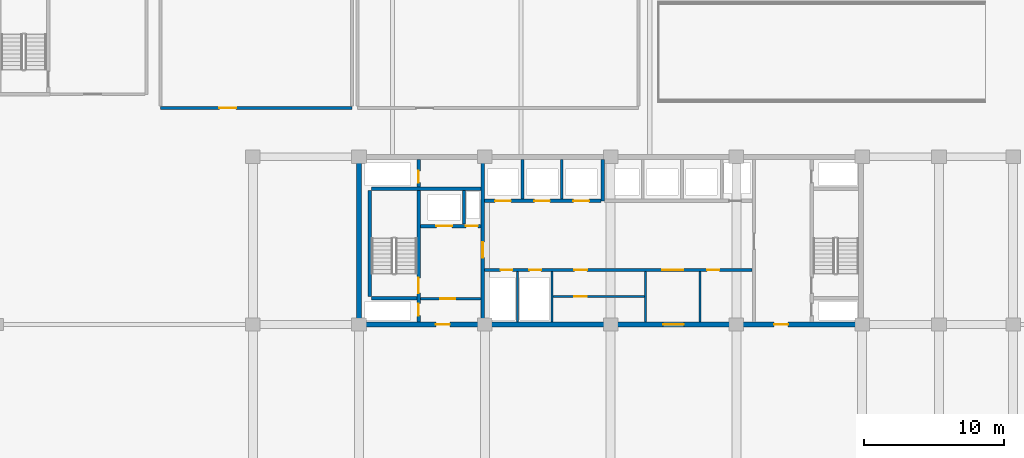
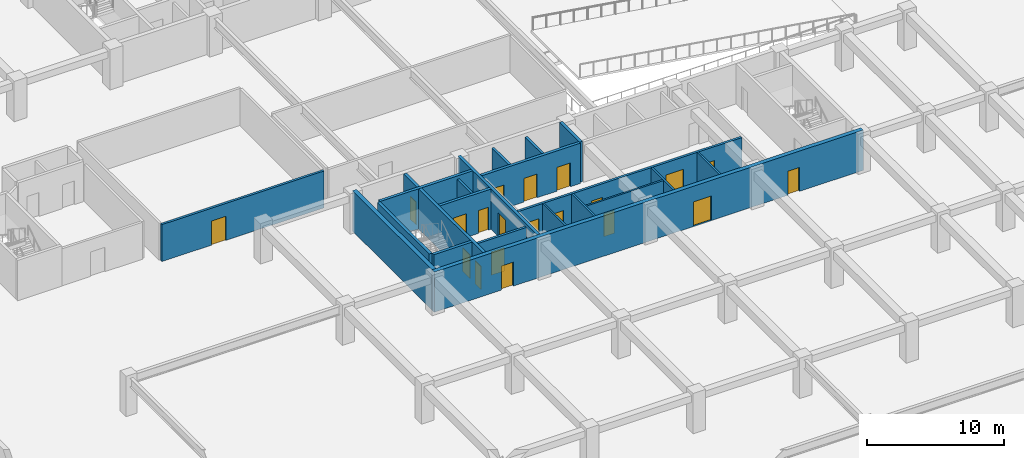
# One storey, part 6 of 22: 21 walls, 20 doors, 20 openings.
"""IFC4 building model written with IfcOpenShell, lengths in metres."""

from ifc_helpers import new_model, si_unit, direction, frame, frame_2d, origin, place, context, subcontext, project, spatial, rectangle, extrude, material, layer, layer_set, type_object, element, fill, save


model = new_model("IFC4")

# Units and contexts
model_context = context("Model", 3, precision=1e-05, world=origin(), true_north=direction((0.0, 1.0)))
body_context = subcontext(model_context, "Body", "Model", "MODEL_VIEW")
ifc_project = project(units=[si_unit("LENGTHUNIT", "METRE"), si_unit("AREAUNIT", "SQUARE_METRE"), si_unit("VOLUMEUNIT", "CUBIC_METRE"), si_unit("PLANEANGLEUNIT", "RADIAN"), si_unit("MASSUNIT", "GRAM", prefix="KILO")], contexts=[model_context])

# Site, building, storey
site_placement = place(None, origin())
site = spatial("IfcSite", under=ifc_project, at=site_placement, CompositionType="ELEMENT")
building_placement = place(site_placement, origin())
building = spatial("IfcBuilding", under=site, at=building_placement, Name="Korimba Cascade Residences", CompositionType="ELEMENT")
storey_placement = place(building_placement, frame((0.0, 0.0, -7.199951171875)))
storey = spatial("IfcBuildingStorey", under=building, at=storey_placement, Name="B02", CompositionType="ELEMENT", Elevation=-7.199951171875)

# Wall
ifc_material_1 = material(Name="Concrete C65/80", Category="concrete")
ifc_layer_1 = layer(ifc_material_1, 0.35009765625)
ifc_layer_set_1 = layer_set([ifc_layer_1], Name="Concrete C65/80")
wall_type_1 = type_object("IfcWallType", Name="WAL-CORE-350", PredefinedType="SHEAR", material=ifc_layer_set_1)
wall_1_placement = place(storey_placement, frame((82.10009765625, 18.574951171875, 0.0), z_axis=(0.0, 0.0, 1.0), x_axis=(0.0, 1.0, 0.0)))
element("IfcWall", 1, at=wall_1_placement, inside=storey, type_object=wall_type_1, Name="B02 Core Shear Wall CW-B02-T2-W", PredefinedType="SHEAR", context=body_context, shape_type="SweptSolid", body=[
    extrude(rectangle(XDim=11.650146484375, YDim=0.35009765625, at=frame_2d((5.8251953125, 0.0))), origin(), (0.0, 0.0, 1.0), 3.599853515625),
])

# Wall, openings, doors
wall_2_placement = place(storey_placement, frame((81.925048828125, 18.39990234375, 0.0), z_axis=(0.0, 0.0, 1.0), x_axis=(1.0, 0.0, 0.0)))
wall_2 = element("IfcWall", 2, at=wall_2_placement, inside=storey, type_object=wall_type_1, Name="B02 Core Shear Wall CW-B02-T2-S", PredefinedType="SHEAR", context=body_context, shape_type="SweptSolid", body=[
    extrude(rectangle(XDim=36.264892578125, YDim=0.35009765625, at=frame_2d((18.13232421875, 0.0))), origin(), (0.0, 0.0, 1.0), 3.599853515625),
])
opening_1_placement = place(wall_2_placement, frame((5.675048828125, 0.0, 0.0)))
opening_1 = element("IfcOpeningElement", 3, at=opening_1_placement, cuts=wall_2, Name="Opening D-FD5", PredefinedType="OPENING", context=body_context, shape_type="SweptSolid", body=[
    extrude(rectangle(XDim=1.0, YDim=2.14990234375, at=frame_2d((0.5, 1.074951171875))), frame((0.0, 0.18505859375, 0.0), z_axis=(0.0, -1.0, 0.0), x_axis=(1.0, 0.0, 0.0)), (0.0, 0.0, 1.0), 0.3701171875),
])
opening_2_placement = place(wall_2_placement, frame((21.925048828125, 0.0, 0.0)))
opening_2 = element("IfcOpeningElement", 4, at=opening_2_placement, cuts=wall_2, Name="Opening D-FD8", PredefinedType="OPENING", context=body_context, shape_type="SweptSolid", body=[
    extrude(rectangle(XDim=1.5, YDim=2.199951171875, at=frame_2d((0.75, 1.10009765625))), frame((0.0, 0.18505859375, 0.0), z_axis=(0.0, -1.0, 0.0), x_axis=(1.0, 0.0, 0.0)), (0.0, 0.0, 1.0), 0.3701171875),
])
opening_3_placement = place(wall_2_placement, frame((29.875, 0.0, 0.0)))
opening_3 = element("IfcOpeningElement", 5, at=opening_3_placement, cuts=wall_2, Name="Opening D-FD5", PredefinedType="OPENING", context=body_context, shape_type="SweptSolid", body=[
    extrude(rectangle(XDim=1.0, YDim=2.14990234375, at=frame_2d((0.5, 1.074951171875))), frame((0.0, 0.18505859375, 0.0), z_axis=(0.0, -1.0, 0.0), x_axis=(1.0, 0.0, 0.0)), (0.0, 0.0, 1.0), 0.3701171875),
])
ifc_material_2 = material(Name="Fire-Rated Acoustic Timber Vestibule Door", Category="wood")
door_type_1 = type_object("IfcDoorType", Name="DR-FD90-1000", OperationType="NOTDEFINED", PredefinedType="DOOR", material=ifc_material_2)
door_1_placement = place(opening_1_placement, origin())
door_1 = element("IfcDoor", 6, at=door_1_placement, inside=storey, type_object=door_type_1, Name="B02 T2 West Core Vestibule Fire Door", OperationType="SINGLE_SWING_RIGHT", OverallHeight=2.14990234375, OverallWidth=1.0, PredefinedType="DOOR", context=body_context, shape_type="SweptSolid", body=[
    extrude(rectangle(XDim=1.0, YDim=2.14990234375, at=frame_2d((0.5, 1.074951171875))), frame((0.0, 0.02490234375, 0.0), z_axis=(0.0, -1.0, 0.0), x_axis=(1.0, 0.0, 0.0)), (0.0, 0.0, 1.0), 0.050048828125),
])
fill(opening_1, door_1)
door_2_placement = place(opening_3_placement, origin())
door_2 = element("IfcDoor", 7, at=door_2_placement, inside=storey, type_object=door_type_1, Name="B02 T2 East Stair Vestibule Fire Door", OperationType="SINGLE_SWING_LEFT", OverallHeight=2.14990234375, OverallWidth=1.0, PredefinedType="DOOR", context=body_context, shape_type="SweptSolid", body=[
    extrude(rectangle(XDim=1.0, YDim=2.14990234375, at=frame_2d((0.5, 1.074951171875))), frame((0.0, 0.02490234375, 0.0), z_axis=(0.0, -1.0, 0.0), x_axis=(1.0, 0.0, 0.0)), (0.0, 0.0, 1.0), 0.050048828125),
])
fill(opening_3, door_2)
ifc_material_3 = material(Name="Fire-Rated Glazed Lift Lobby Double Door", Category="glass")
door_type_2 = type_object("IfcDoorType", Name="DR-FD90-1500", OperationType="NOTDEFINED", PredefinedType="DOOR", material=ifc_material_3)
door_3_placement = place(opening_2_placement, origin())
door_3 = element("IfcDoor", 8, at=door_3_placement, inside=storey, type_object=door_type_2, Name="B02 T2 Lift Lobby Fire Door", OperationType="DOUBLE_DOOR_SINGLE_SWING", OverallHeight=2.199951171875, OverallWidth=1.5, PredefinedType="DOOR", context=body_context, shape_type="SweptSolid", body=[
    extrude(rectangle(XDim=1.5, YDim=2.199951171875, at=frame_2d((0.75, 1.10009765625))), frame((0.0, 0.02490234375, 0.0), z_axis=(0.0, -1.0, 0.0), x_axis=(1.0, 0.0, 0.0)), (0.0, 0.0, 1.0), 0.050048828125),
])
fill(opening_2, door_3)

# Walls
ifc_material_4 = material(Name="Insulated Acoustic Stud Partition", Category="gypsum")
ifc_layer_2 = layer(ifc_material_4, 0.14990234375)
ifc_layer_set_2 = layer_set([ifc_layer_2], Name="Insulated Acoustic Stud Partition")
wall_type_2 = type_object("IfcWallType", Name="WAL-PART-150", PredefinedType="PARTITIONING", material=ifc_layer_set_2)
for number, where, z_axis, x_axis, name in (
    (9, (93.449951171875, 18.60009765625, 0.0), (0.0, 0.0, 1.0), (0.0, 1.0, 0.0), "B02 Partition Wall CW-B02-T2-ERDIV"),
    (10, (95.89990234375, 18.60009765625, 0.0), (0.0, 0.0, 1.0), (0.0, 1.0, 0.0), "B02 Partition Wall CW-B02-T2-PRDIV"),
):
    element("IfcWall", number, at=place(storey_placement, frame(where, z_axis=z_axis, x_axis=x_axis)), inside=storey, type_object=wall_type_2, Name=name, PredefinedType="PARTITIONING", context=body_context, shape_type="SweptSolid", body=[
        extrude(rectangle(XDim=3.599853515625, YDim=0.14990234375, at=frame_2d((1.7998046875, 0.0))), origin(), (0.0, 0.0, 1.0), 3.300048828125),
    ])

# Wall, opening, door
wall_3_placement = place(storey_placement, frame((95.89990234375, 20.39990234375, 0.0), z_axis=(0.0, 0.0, 1.0), x_axis=(1.0, 0.0, 0.0)))
wall_3 = element("IfcWall", 11, at=wall_3_placement, inside=storey, type_object=wall_type_2, Name="B02 Partition Wall CW-B02-T2-CA2HZ", PredefinedType="PARTITIONING", context=body_context, shape_type="SweptSolid", body=[
    extrude(rectangle(XDim=6.7001953125, YDim=0.14990234375, at=frame_2d((3.35009765625, 0.0))), origin(), (0.0, 0.0, 1.0), 3.300048828125),
])
opening_4_placement = place(wall_3_placement, frame((1.60009765625, 0.0, 0.0)))
opening_4 = element("IfcOpeningElement", 12, at=opening_4_placement, cuts=wall_3, Name="Opening D-IN2", PredefinedType="OPENING", context=body_context, shape_type="SweptSolid", body=[
    extrude(rectangle(XDim=0.8798828125, YDim=2.06005859375, at=frame_2d((0.43994140625, 1.030029296875))), frame((0.0, 0.0849609375, 0.0), z_axis=(0.0, -1.0, 0.0), x_axis=(1.0, 0.0, 0.0)), (0.0, 0.0, 1.0), 0.169921875),
])
ifc_material_5 = material(Name="Acoustic Timber Bedroom Door", Category="wood")
door_type_3 = type_object("IfcDoorType", Name="DR-INT-880", OperationType="NOTDEFINED", PredefinedType="DOOR", material=ifc_material_5)
door_4_placement = place(opening_4_placement, origin())
door_4 = element("IfcDoor", 13, at=door_4_placement, inside=storey, type_object=door_type_3, Name="B02 T2 Pram Store Door", OperationType="SINGLE_SWING_LEFT", OverallHeight=2.06005859375, OverallWidth=0.8798828125, PredefinedType="DOOR", context=body_context, shape_type="SweptSolid", body=[
    extrude(rectangle(XDim=0.8798828125, YDim=2.06005859375, at=frame_2d((0.43994140625, 1.030029296875))), frame((0.0, 0.02490234375, 0.0), z_axis=(0.0, -1.0, 0.0), x_axis=(1.0, 0.0, 0.0)), (0.0, 0.0, 1.0), 0.050048828125),
])
fill(opening_4, door_4)

# Walls
for number, where, z_axis, x_axis, name in (
    (14, (102.60009765625, 18.60009765625, 0.0), (0.0, 0.0, 1.0), (0.0, 1.0, 0.0), "B02 Partition Wall CW-B02-T2-THW"),
    (15, (106.5, 18.60009765625, 0.0), (0.0, 0.0, 1.0), (0.0, 1.0, 0.0), "B02 Partition Wall CW-B02-T2-THE"),
):
    element("IfcWall", number, at=place(storey_placement, frame(where, z_axis=z_axis, x_axis=x_axis)), inside=storey, type_object=wall_type_2, Name=name, PredefinedType="PARTITIONING", context=body_context, shape_type="SweptSolid", body=[
        extrude(rectangle(XDim=3.599853515625, YDim=0.14990234375, at=frame_2d((1.7998046875, 0.0))), origin(), (0.0, 0.0, 1.0), 3.300048828125),
    ])
ifc_material_6 = material(Name="Concrete C40/50", Category="concrete")
ifc_layer_3 = layer(ifc_material_6, 0.199951171875)
ifc_layer_set_3 = layer_set([ifc_layer_3], Name="Concrete C40/50")
wall_type_3 = type_object("IfcWallType", Name="WAL-PART-200", PredefinedType="PARTITIONING", material=ifc_layer_set_3)
wall_4_placement = place(storey_placement, frame((89.60009765625, 25.580078125, 0.0), z_axis=(0.0, 0.0, 1.0), x_axis=(0.0, 1.0, 0.0)))
element("IfcWall", 16, at=wall_4_placement, inside=storey, type_object=wall_type_3, Name="B02 Partition Wall CW-B02-T2-FFLDIV", PredefinedType="PARTITIONING", context=body_context, shape_type="SweptSolid", body=[
    extrude(rectangle(XDim=2.419921875, YDim=0.199951171875, at=frame_2d((1.2099609375, 0.0))), origin(), (0.0, 0.0, 1.0), 3.300048828125),
])

# Wall, opening, door
wall_5_placement = place(storey_placement, frame((86.5, 20.25, 0.0), z_axis=(0.0, 0.0, 1.0), x_axis=(1.0, 0.0, 0.0)))
wall_5 = element("IfcWall", 17, at=wall_5_placement, inside=storey, type_object=wall_type_3, Name="B02 Partition Wall CW-B02-T2-FFLS", PredefinedType="PARTITIONING", context=body_context, shape_type="SweptSolid", body=[
    extrude(rectangle(XDim=4.320068359375, YDim=0.199951171875, at=frame_2d((2.16015625, 0.0))), origin(), (0.0, 0.0, 1.0), 3.300048828125),
])
opening_5_placement = place(wall_5_placement, frame((1.39990234375, 0.0, 0.0)))
opening_5 = element("IfcOpeningElement", 18, at=opening_5_placement, cuts=wall_5, Name="Opening D-FD1", PredefinedType="OPENING", context=body_context, shape_type="SweptSolid", body=[
    extrude(rectangle(XDim=1.10009765625, YDim=2.10009765625, at=frame_2d((0.550048828125, 1.050048828125))), frame((0.0, 0.10986328125, 0.0), z_axis=(0.0, -1.0, 0.0), x_axis=(1.0, 0.0, 0.0)), (0.0, 0.0, 1.0), 0.219970703125),
])
ifc_material_7 = material(Name="Fire-Rated Steel Core Door", Category="steel")
door_type_4 = type_object("IfcDoorType", Name="DR-FD120-1100", OperationType="NOTDEFINED", PredefinedType="DOOR", material=ifc_material_7)
door_5_placement = place(opening_5_placement, origin())
door_5 = element("IfcDoor", 19, at=door_5_placement, inside=storey, type_object=door_type_4, Name="B02 T2 Firefighting Lobby Door", OperationType="SINGLE_SWING_RIGHT", OverallHeight=2.10009765625, OverallWidth=1.10009765625, PredefinedType="DOOR", context=body_context, shape_type="SweptSolid", body=[
    extrude(rectangle(XDim=1.10009765625, YDim=2.10009765625, at=frame_2d((0.550048828125, 1.050048828125))), frame((0.0, 0.02490234375, 0.0), z_axis=(0.0, -1.0, 0.0), x_axis=(1.0, 0.0, 0.0)), (0.0, 0.0, 1.0), 0.050048828125),
])
fill(opening_5, door_5)

# Walls
for number, where, z_axis, x_axis, name in (
    (20, (93.800048828125, 27.3798828125, 0.0), (0.0, 0.0, 1.0), (0.0, 1.0, 0.0), "B02 Partition Wall CW-B02-T2-B1D1"),
    (21, (96.60009765625, 27.3798828125, 0.0), (0.0, 0.0, 1.0), (0.0, 1.0, 0.0), "B02 Partition Wall CW-B02-T2-B1D2"),
):
    element("IfcWall", number, at=place(storey_placement, frame(where, z_axis=z_axis, x_axis=x_axis)), inside=storey, type_object=wall_type_3, Name=name, PredefinedType="PARTITIONING", context=body_context, shape_type="SweptSolid", body=[
        extrude(rectangle(XDim=2.820068359375, YDim=0.199951171875, at=frame_2d((1.41015625, 0.0))), origin(), (0.0, 0.0, 1.0), 3.300048828125),
    ])

# Wall, openings, doors
wall_6_placement = place(storey_placement, frame((91.080078125, 22.300048828125, 0.0), z_axis=(0.0, 0.0, 1.0), x_axis=(1.0, 0.0, 0.0)))
wall_6 = element("IfcWall", 22, at=wall_6_placement, inside=storey, type_object=wall_type_3, Name="B02 Partition Wall CW-B02-T2-SRVROW", PredefinedType="PARTITIONING", context=body_context, shape_type="SweptSolid", body=[
    extrude(rectangle(XDim=19.139892578125, YDim=0.199951171875, at=frame_2d((9.56982421875, 0.0))), origin(), (0.0, 0.0, 1.0), 3.300048828125),
])
opening_6_placement = place(wall_6_placement, frame((1.14990234375, 0.0, 0.0)))
opening_6 = element("IfcOpeningElement", 23, at=opening_6_placement, cuts=wall_6, Name="Opening D-RS1", PredefinedType="OPENING", context=body_context, shape_type="SweptSolid", body=[
    extrude(rectangle(XDim=0.85009765625, YDim=2.050048828125, at=frame_2d((0.425048828125, 1.02490234375))), frame((0.0, 0.10986328125, 0.0), z_axis=(0.0, -1.0, 0.0), x_axis=(1.0, 0.0, 0.0)), (0.0, 0.0, 1.0), 0.219970703125),
])
opening_7_placement = place(wall_6_placement, frame((3.199951171875, 0.0, 0.0)))
opening_7 = element("IfcOpeningElement", 24, at=opening_7_placement, cuts=wall_6, Name="Opening D-RS1", PredefinedType="OPENING", context=body_context, shape_type="SweptSolid", body=[
    extrude(rectangle(XDim=0.85009765625, YDim=2.050048828125, at=frame_2d((0.425048828125, 1.02490234375))), frame((0.0, 0.10986328125, 0.0), z_axis=(0.0, -1.0, 0.0), x_axis=(1.0, 0.0, 0.0)), (0.0, 0.0, 1.0), 0.219970703125),
])
opening_8_placement = place(wall_6_placement, frame((12.719970703125, 0.0, 0.0)))
opening_8 = element("IfcOpeningElement", 25, at=opening_8_placement, cuts=wall_6, Name="Opening D-FD8", PredefinedType="OPENING", context=body_context, shape_type="SweptSolid", body=[
    extrude(rectangle(XDim=1.5, YDim=2.199951171875, at=frame_2d((0.75, 1.10009765625))), frame((0.0, 0.10986328125, 0.0), z_axis=(0.0, -1.0, 0.0), x_axis=(1.0, 0.0, 0.0)), (0.0, 0.0, 1.0), 0.219970703125),
])
opening_9_placement = place(wall_6_placement, frame((6.419921875, 0.0, 0.0)))
opening_9 = element("IfcOpeningElement", 26, at=opening_9_placement, cuts=wall_6, Name="Opening D-IN1", PredefinedType="OPENING", context=body_context, shape_type="SweptSolid", body=[
    extrude(rectangle(XDim=0.919921875, YDim=2.080078125, at=frame_2d((0.4599609375, 1.0400390625))), frame((0.0, 0.10986328125, 0.0), z_axis=(0.0, -1.0, 0.0), x_axis=(1.0, 0.0, 0.0)), (0.0, 0.0, 1.0), 0.219970703125),
])
opening_10_placement = place(wall_6_placement, frame((15.919921875, 0.0, 0.0)))
opening_10 = element("IfcOpeningElement", 27, at=opening_10_placement, cuts=wall_6, Name="Opening D-IN2", PredefinedType="OPENING", context=body_context, shape_type="SweptSolid", body=[
    extrude(rectangle(XDim=0.8798828125, YDim=2.06005859375, at=frame_2d((0.43994140625, 1.030029296875))), frame((0.0, 0.10986328125, 0.0), z_axis=(0.0, -1.0, 0.0), x_axis=(1.0, 0.0, 0.0)), (0.0, 0.0, 1.0), 0.219970703125),
])
ifc_material_8 = material(Name="Fire-Rated Steel Riser Access Door", Category="steel")
door_type_5 = type_object("IfcDoorType", Name="DR-FD60-850", OperationType="NOTDEFINED", PredefinedType="DOOR", material=ifc_material_8)
door_6_placement = place(opening_6_placement, origin())
door_6 = element("IfcDoor", 28, at=door_6_placement, inside=storey, type_object=door_type_5, Name="B02 T2 Electrical Riser Door", OperationType="SINGLE_SWING_RIGHT", OverallHeight=2.050048828125, OverallWidth=0.85009765625, PredefinedType="DOOR", context=body_context, shape_type="SweptSolid", body=[
    extrude(rectangle(XDim=0.85009765625, YDim=2.050048828125, at=frame_2d((0.425048828125, 1.02490234375))), frame((0.0, 0.02490234375, 0.0), z_axis=(0.0, -1.0, 0.0), x_axis=(1.0, 0.0, 0.0)), (0.0, 0.0, 1.0), 0.050048828125),
])
fill(opening_6, door_6)
door_7_placement = place(opening_7_placement, origin())
door_7 = element("IfcDoor", 29, at=door_7_placement, inside=storey, type_object=door_type_5, Name="B02 T2 Plumbing Riser Door", OperationType="SINGLE_SWING_LEFT", OverallHeight=2.050048828125, OverallWidth=0.85009765625, PredefinedType="DOOR", context=body_context, shape_type="SweptSolid", body=[
    extrude(rectangle(XDim=0.85009765625, YDim=2.050048828125, at=frame_2d((0.425048828125, 1.02490234375))), frame((0.0, 0.02490234375, 0.0), z_axis=(0.0, -1.0, 0.0), x_axis=(1.0, 0.0, 0.0)), (0.0, 0.0, 1.0), 0.050048828125),
])
fill(opening_7, door_7)
door_8_placement = place(opening_8_placement, origin())
door_8 = element("IfcDoor", 30, at=door_8_placement, inside=storey, type_object=door_type_2, Name="B02 T2 Lift Lobby Foyer Door", OperationType="DOUBLE_DOOR_SINGLE_SWING", OverallHeight=2.199951171875, OverallWidth=1.5, PredefinedType="DOOR", context=body_context, shape_type="SweptSolid", body=[
    extrude(rectangle(XDim=1.5, YDim=2.199951171875, at=frame_2d((0.75, 1.10009765625))), frame((0.0, 0.02490234375, 0.0), z_axis=(0.0, -1.0, 0.0), x_axis=(1.0, 0.0, 0.0)), (0.0, 0.0, 1.0), 0.050048828125),
])
fill(opening_8, door_8)
door_9_placement = place(opening_10_placement, origin())
door_9 = element("IfcDoor", 31, at=door_9_placement, inside=storey, type_object=door_type_3, Name="B02 T2 Staff WC Door", OperationType="SINGLE_SWING_LEFT", OverallHeight=2.06005859375, OverallWidth=0.8798828125, PredefinedType="DOOR", context=body_context, shape_type="SweptSolid", body=[
    extrude(rectangle(XDim=0.8798828125, YDim=2.06005859375, at=frame_2d((0.43994140625, 1.030029296875))), frame((0.0, 0.02490234375, 0.0), z_axis=(0.0, -1.0, 0.0), x_axis=(1.0, 0.0, 0.0)), (0.0, 0.0, 1.0), 0.050048828125),
])
fill(opening_10, door_9)
ifc_material_9 = material(Name="Acoustic Timber Living Door", Category="wood")
door_type_6 = type_object("IfcDoorType", Name="DR-INT-920", OperationType="NOTDEFINED", PredefinedType="DOOR", material=ifc_material_9)
door_10_placement = place(opening_9_placement, origin())
door_10 = element("IfcDoor", 32, at=door_10_placement, inside=storey, type_object=door_type_6, Name="B02 T2 Locker Door", OperationType="SINGLE_SWING_RIGHT", OverallHeight=2.080078125, OverallWidth=0.919921875, PredefinedType="DOOR", context=body_context, shape_type="SweptSolid", body=[
    extrude(rectangle(XDim=0.919921875, YDim=2.080078125, at=frame_2d((0.4599609375, 1.0400390625))), frame((0.0, 0.02490234375, 0.0), z_axis=(0.0, -1.0, 0.0), x_axis=(1.0, 0.0, 0.0)), (0.0, 0.0, 1.0), 0.050048828125),
])
fill(opening_9, door_10)

# Wall, opening, door
wall_7_placement = place(storey_placement, frame((67.89990234375, 33.89990234375, 0.0), z_axis=(0.0, 0.0, 1.0), x_axis=(1.0, 0.0, 0.0)))
wall_7 = element("IfcWall", 33, at=wall_7_placement, inside=storey, type_object=wall_type_3, Name="B02 Partition Wall WAL-B02-PMPS", PredefinedType="PARTITIONING", context=body_context, shape_type="SweptSolid", body=[
    extrude(rectangle(XDim=13.7001953125, YDim=0.199951171875, at=frame_2d((6.85009765625, 0.0))), origin(), (0.0, 0.0, 1.0), 3.300048828125),
])
opening_11_placement = place(wall_7_placement, frame((4.199951171875, 0.0, 0.0)))
opening_11 = element("IfcOpeningElement", 34, at=opening_11_placement, cuts=wall_7, Name="Opening D-FD3", PredefinedType="OPENING", context=body_context, shape_type="SweptSolid", body=[
    extrude(rectangle(XDim=1.199951171875, YDim=2.14990234375, at=frame_2d((0.60009765625, 1.074951171875))), frame((0.0, 0.10986328125, 0.0), z_axis=(0.0, -1.0, 0.0), x_axis=(1.0, 0.0, 0.0)), (0.0, 0.0, 1.0), 0.219970703125),
])
ifc_material_10 = material(Name="Fire-Rated Steel Plant Door", Category="steel")
door_type_7 = type_object("IfcDoorType", Name="DR-FD120-1200", OperationType="NOTDEFINED", PredefinedType="DOOR", material=ifc_material_10)
door_11_placement = place(opening_11_placement, origin())
door_11 = element("IfcDoor", 35, at=door_11_placement, inside=storey, type_object=door_type_7, Name="B02 Pump Room Door", OperationType="SINGLE_SWING_RIGHT", OverallHeight=2.14990234375, OverallWidth=1.199951171875, PredefinedType="DOOR", context=body_context, shape_type="SweptSolid", body=[
    extrude(rectangle(XDim=1.199951171875, YDim=2.14990234375, at=frame_2d((0.60009765625, 1.074951171875))), frame((0.0, 0.02490234375, 0.0), z_axis=(0.0, -1.0, 0.0), x_axis=(1.0, 0.0, 0.0)), (0.0, 0.0, 1.0), 0.050048828125),
])
fill(opening_11, door_11)

# Wall
ifc_material_11 = material(Name="Concrete C50/60", Category="concrete")
ifc_layer_4 = layer(ifc_material_11, 0.25)
ifc_layer_set_4 = layer_set([ifc_layer_4], Name="Concrete C50/60")
wall_type_4 = type_object("IfcWallType", Name="WAL-SHAFT-250", PredefinedType="SHEAR", material=ifc_layer_set_4)
wall_8_placement = place(storey_placement, frame((82.875, 20.39990234375, 0.0), z_axis=(0.0, 0.0, 1.0), x_axis=(0.0, 1.0, 0.0)))
element("IfcWall", 36, at=wall_8_placement, inside=storey, type_object=wall_type_4, Name="B02 Core Shear Wall CW-B02-T2-STE1W", PredefinedType="SHEAR", context=body_context, shape_type="SweptSolid", body=[
    extrude(rectangle(XDim=7.60009765625, YDim=0.25, at=frame_2d((3.800048828125, 0.0))), origin(), (0.0, 0.0, 1.0), 3.599853515625),
])

# Wall, openings, doors
wall_9_placement = place(storey_placement, frame((86.364990234375, 18.60009765625, 0.0), z_axis=(0.0, 0.0, 1.0), x_axis=(0.0, 1.0, 0.0)))
wall_9 = element("IfcWall", 37, at=wall_9_placement, inside=storey, type_object=wall_type_4, Name="B02 Core Shear Wall CW-B02-T2-STE1E", PredefinedType="SHEAR", context=body_context, shape_type="SweptSolid", body=[
    extrude(rectangle(XDim=11.599853515625, YDim=0.25, at=frame_2d((5.7998046875, 0.0))), origin(), (0.0, 0.0, 1.0), 3.599853515625),
])
opening_12_placement = place(wall_9_placement, frame((0.449951171875, 0.0, 0.0)))
opening_12 = element("IfcOpeningElement", 38, at=opening_12_placement, cuts=wall_9, Name="Opening D-RS1", PredefinedType="OPENING", context=body_context, shape_type="SweptSolid", body=[
    extrude(rectangle(XDim=0.85009765625, YDim=2.050048828125, at=frame_2d((0.425048828125, 1.02490234375))), frame((0.0, 0.135009765625, 0.0), z_axis=(0.0, -1.0, 0.0), x_axis=(1.0, 0.0, 0.0)), (0.0, 0.0, 1.0), 0.27001953125),
])
opening_13_placement = place(wall_9_placement, frame((2.050048828125, 0.0, 0.0)))
opening_13 = element("IfcOpeningElement", 39, at=opening_13_placement, cuts=wall_9, Name="Opening D-FD1", PredefinedType="OPENING", context=body_context, shape_type="SweptSolid", body=[
    extrude(rectangle(XDim=1.10009765625, YDim=2.10009765625, at=frame_2d((0.550048828125, 1.050048828125))), frame((0.0, 0.135009765625, 0.0), z_axis=(0.0, -1.0, 0.0), x_axis=(1.0, 0.0, 0.0)), (0.0, 0.0, 1.0), 0.27001953125),
])
opening_14_placement = place(wall_9_placement, frame((9.949951171875, 0.0, 0.0)))
opening_14 = element("IfcOpeningElement", 40, at=opening_14_placement, cuts=wall_9, Name="Opening D-RS1", PredefinedType="OPENING", context=body_context, shape_type="SweptSolid", body=[
    extrude(rectangle(XDim=0.85009765625, YDim=2.050048828125, at=frame_2d((0.425048828125, 1.02490234375))), frame((0.0, 0.135009765625, 0.0), z_axis=(0.0, -1.0, 0.0), x_axis=(1.0, 0.0, 0.0)), (0.0, 0.0, 1.0), 0.27001953125),
])
door_12_placement = place(opening_13_placement, origin())
door_12 = element("IfcDoor", 41, at=door_12_placement, inside=storey, type_object=door_type_4, Name="B02 Fire Stair ST-E1 Door", OperationType="SINGLE_SWING_LEFT", OverallHeight=2.10009765625, OverallWidth=1.10009765625, PredefinedType="DOOR", context=body_context, shape_type="SweptSolid", body=[
    extrude(rectangle(XDim=1.10009765625, YDim=2.10009765625, at=frame_2d((0.550048828125, 1.050048828125))), frame((0.0, 0.02490234375, 0.0), z_axis=(0.0, -1.0, 0.0), x_axis=(1.0, 0.0, 0.0)), (0.0, 0.0, 1.0), 0.050048828125),
])
fill(opening_13, door_12)
door_13_placement = place(opening_12_placement, origin())
door_13 = element("IfcDoor", 42, at=door_13_placement, inside=storey, type_object=door_type_5, Name="B02 T2 Hydrant Riser Door", OperationType="SINGLE_SWING_RIGHT", OverallHeight=2.050048828125, OverallWidth=0.85009765625, PredefinedType="DOOR", context=body_context, shape_type="SweptSolid", body=[
    extrude(rectangle(XDim=0.85009765625, YDim=2.050048828125, at=frame_2d((0.425048828125, 1.02490234375))), frame((0.0, 0.02490234375, 0.0), z_axis=(0.0, -1.0, 0.0), x_axis=(1.0, 0.0, 0.0)), (0.0, 0.0, 1.0), 0.050048828125),
])
fill(opening_12, door_13)
door_14_placement = place(opening_14_placement, origin())
door_14 = element("IfcDoor", 43, at=door_14_placement, inside=storey, type_object=door_type_5, Name="B02 T2 Smoke Shaft Door", OperationType="SINGLE_SWING_RIGHT", OverallHeight=2.050048828125, OverallWidth=0.85009765625, PredefinedType="DOOR", context=body_context, shape_type="SweptSolid", body=[
    extrude(rectangle(XDim=0.85009765625, YDim=2.050048828125, at=frame_2d((0.425048828125, 1.02490234375))), frame((0.0, 0.02490234375, 0.0), z_axis=(0.0, -1.0, 0.0), x_axis=(1.0, 0.0, 0.0)), (0.0, 0.0, 1.0), 0.050048828125),
])
fill(opening_14, door_14)

# Walls
wall_10_placement = place(storey_placement, frame((83.0, 20.27490234375, 0.0), z_axis=(0.0, 0.0, 1.0), x_axis=(1.0, 0.0, 0.0)))
element("IfcWall", 44, at=wall_10_placement, inside=storey, type_object=wall_type_4, Name="B02 Core Shear Wall CW-B02-T2-STE1S", PredefinedType="SHEAR", context=body_context, shape_type="SweptSolid", body=[
    extrude(rectangle(XDim=3.239990234375, YDim=0.25, at=frame_2d((1.6201171875, 0.0))), origin(), (0.0, 0.0, 1.0), 3.599853515625),
])
wall_11_placement = place(storey_placement, frame((83.0, 28.125, 0.0), z_axis=(0.0, 0.0, 1.0), x_axis=(1.0, 0.0, 0.0)))
element("IfcWall", 45, at=wall_11_placement, inside=storey, type_object=wall_type_4, Name="B02 Core Shear Wall CW-B02-T2-STE1N", PredefinedType="SHEAR", context=body_context, shape_type="SweptSolid", body=[
    extrude(rectangle(XDim=7.820068359375, YDim=0.25, at=frame_2d((3.91015625, 0.0))), origin(), (0.0, 0.0, 1.0), 3.599853515625),
])

# Wall, openings, doors
wall_12_placement = place(storey_placement, frame((86.5, 25.449951171875, 0.0), z_axis=(0.0, 0.0, 1.0), x_axis=(1.0, 0.0, 0.0)))
wall_12 = element("IfcWall", 46, at=wall_12_placement, inside=storey, type_object=wall_type_4, Name="B02 Core Shear Wall CW-B02-T2-FFLN", PredefinedType="SHEAR", context=body_context, shape_type="SweptSolid", body=[
    extrude(rectangle(XDim=4.320068359375, YDim=0.25, at=frame_2d((2.16015625, 0.0))), origin(), (0.0, 0.0, 1.0), 3.599853515625),
])
opening_15_placement = place(wall_12_placement, frame((1.139892578125, 0.0, 0.0)))
opening_15 = element("IfcOpeningElement", 47, at=opening_15_placement, cuts=wall_12, Name="Opening LD-01", PredefinedType="OPENING", context=body_context, shape_type="SweptSolid", body=[
    extrude(rectangle(XDim=1.1201171875, YDim=2.1201171875, at=frame_2d((0.56005859375, 1.06005859375))), frame((0.0, 0.135009765625, 0.0), z_axis=(0.0, -1.0, 0.0), x_axis=(1.0, 0.0, 0.0)), (0.0, 0.0, 1.0), 0.27001953125),
])
opening_16_placement = place(wall_12_placement, frame((3.25, 0.0, 0.0)))
opening_16 = element("IfcOpeningElement", 48, at=opening_16_placement, cuts=wall_12, Name="Opening D-RS1", PredefinedType="OPENING", context=body_context, shape_type="SweptSolid", body=[
    extrude(rectangle(XDim=0.85009765625, YDim=2.050048828125, at=frame_2d((0.425048828125, 1.02490234375))), frame((0.0, 0.135009765625, 0.0), z_axis=(0.0, -1.0, 0.0), x_axis=(1.0, 0.0, 0.0)), (0.0, 0.0, 1.0), 0.27001953125),
])
door_15_placement = place(opening_16_placement, origin())
door_15 = element("IfcDoor", 49, at=door_15_placement, inside=storey, type_object=door_type_5, Name="B02 T2 Pressurisation Riser Door", OperationType="SINGLE_SWING_LEFT", OverallHeight=2.050048828125, OverallWidth=0.85009765625, PredefinedType="DOOR", context=body_context, shape_type="SweptSolid", body=[
    extrude(rectangle(XDim=0.85009765625, YDim=2.050048828125, at=frame_2d((0.425048828125, 1.02490234375))), frame((0.0, 0.02490234375, 0.0), z_axis=(0.0, -1.0, 0.0), x_axis=(1.0, 0.0, 0.0)), (0.0, 0.0, 1.0), 0.050048828125),
])
fill(opening_16, door_15)
ifc_material_12 = material(Name="Stainless Steel Lift Landing Sliding Door", Category="steel")
door_type_8 = type_object("IfcDoorType", Name="DR-LIFT-1100", OperationType="NOTDEFINED", PredefinedType="DOOR", material=ifc_material_12)
door_16_placement = place(opening_15_placement, origin())
door_16 = element("IfcDoor", 50, at=door_16_placement, inside=storey, type_object=door_type_8, Name="B02 Firefighting Lift Landing Door FFL-E1", OperationType="SLIDING_TO_RIGHT", OverallHeight=2.1201171875, OverallWidth=1.1201171875, PredefinedType="DOOR", context=body_context, shape_type="SweptSolid", body=[
    extrude(rectangle(XDim=1.1201171875, YDim=2.1201171875, at=frame_2d((0.56005859375, 1.06005859375))), frame((0.0, 0.02490234375, 0.0), z_axis=(0.0, -1.0, 0.0), x_axis=(1.0, 0.0, 0.0)), (0.0, 0.0, 1.0), 0.050048828125),
])
fill(opening_15, door_16)

# Wall, opening, door
wall_13_placement = place(storey_placement, frame((90.949951171875, 18.60009765625, 0.0), z_axis=(0.0, 0.0, 1.0), x_axis=(0.0, 1.0, 0.0)))
wall_13 = element("IfcWall", 51, at=wall_13_placement, inside=storey, type_object=wall_type_4, Name="B02 Core Shear Wall CW-B02-T2-FFLE", PredefinedType="SHEAR", context=body_context, shape_type="SweptSolid", body=[
    extrude(rectangle(XDim=11.599853515625, YDim=0.25, at=frame_2d((5.7998046875, 0.0))), origin(), (0.0, 0.0, 1.0), 3.599853515625),
])
opening_17_placement = place(wall_13_placement, frame((4.60009765625, 0.0, 0.0)))
opening_17 = element("IfcOpeningElement", 52, at=opening_17_placement, cuts=wall_13, Name="Opening D-FD1", PredefinedType="OPENING", context=body_context, shape_type="SweptSolid", body=[
    extrude(rectangle(XDim=1.10009765625, YDim=2.10009765625, at=frame_2d((0.550048828125, 1.050048828125))), frame((0.0, 0.135009765625, 0.0), z_axis=(0.0, -1.0, 0.0), x_axis=(1.0, 0.0, 0.0)), (0.0, 0.0, 1.0), 0.27001953125),
])
door_17_placement = place(opening_17_placement, origin())
door_17 = element("IfcDoor", 53, at=door_17_placement, inside=storey, type_object=door_type_4, Name="B02 T2 Firefighting Lobby to Lift Lobby Door", OperationType="SINGLE_SWING_LEFT", OverallHeight=2.10009765625, OverallWidth=1.10009765625, PredefinedType="DOOR", context=body_context, shape_type="SweptSolid", body=[
    extrude(rectangle(XDim=1.10009765625, YDim=2.10009765625, at=frame_2d((0.550048828125, 1.050048828125))), frame((0.0, 0.02490234375, 0.0), z_axis=(0.0, -1.0, 0.0), x_axis=(1.0, 0.0, 0.0)), (0.0, 0.0, 1.0), 0.050048828125),
])
fill(opening_17, door_17)

# Wall, openings, doors
wall_14_placement = place(storey_placement, frame((91.080078125, 27.25, 0.0), z_axis=(0.0, 0.0, 1.0), x_axis=(1.0, 0.0, 0.0)))
wall_14 = element("IfcWall", 54, at=wall_14_placement, inside=storey, type_object=wall_type_4, Name="B02 Core Shear Wall CW-B02-T2-B1S", PredefinedType="SHEAR", context=body_context, shape_type="SweptSolid", body=[
    extrude(rectangle(XDim=8.33984375, YDim=0.25, at=frame_2d((4.169921875, 0.0))), origin(), (0.0, 0.0, 1.0), 3.599853515625),
])
opening_18_placement = place(wall_14_placement, frame((0.760009765625, 0.0, 0.0)))
opening_18 = element("IfcOpeningElement", 55, at=opening_18_placement, cuts=wall_14, Name="Opening LD-01", PredefinedType="OPENING", context=body_context, shape_type="SweptSolid", body=[
    extrude(rectangle(XDim=1.1201171875, YDim=2.1201171875, at=frame_2d((0.56005859375, 1.06005859375))), frame((0.0, 0.135009765625, 0.0), z_axis=(0.0, -1.0, 0.0), x_axis=(1.0, 0.0, 0.0)), (0.0, 0.0, 1.0), 0.27001953125),
])
opening_19_placement = place(wall_14_placement, frame((3.56005859375, 0.0, 0.0)))
opening_19 = element("IfcOpeningElement", 56, at=opening_19_placement, cuts=wall_14, Name="Opening LD-01", PredefinedType="OPENING", context=body_context, shape_type="SweptSolid", body=[
    extrude(rectangle(XDim=1.1201171875, YDim=2.1201171875, at=frame_2d((0.56005859375, 1.06005859375))), frame((0.0, 0.135009765625, 0.0), z_axis=(0.0, -1.0, 0.0), x_axis=(1.0, 0.0, 0.0)), (0.0, 0.0, 1.0), 0.27001953125),
])
opening_20_placement = place(wall_14_placement, frame((6.360107421875, 0.0, 0.0)))
opening_20 = element("IfcOpeningElement", 57, at=opening_20_placement, cuts=wall_14, Name="Opening LD-01", PredefinedType="OPENING", context=body_context, shape_type="SweptSolid", body=[
    extrude(rectangle(XDim=1.1201171875, YDim=2.1201171875, at=frame_2d((0.56005859375, 1.06005859375))), frame((0.0, 0.135009765625, 0.0), z_axis=(0.0, -1.0, 0.0), x_axis=(1.0, 0.0, 0.0)), (0.0, 0.0, 1.0), 0.27001953125),
])
door_18_placement = place(opening_18_placement, origin())
door_18 = element("IfcDoor", 58, at=door_18_placement, inside=storey, type_object=door_type_8, Name="B02 Lift Landing Door PL-E1", OperationType="SLIDING_TO_LEFT", OverallHeight=2.1201171875, OverallWidth=1.1201171875, PredefinedType="DOOR", context=body_context, shape_type="SweptSolid", body=[
    extrude(rectangle(XDim=1.1201171875, YDim=2.1201171875, at=frame_2d((0.56005859375, 1.06005859375))), frame((0.0, 0.02490234375, 0.0), z_axis=(0.0, -1.0, 0.0), x_axis=(1.0, 0.0, 0.0)), (0.0, 0.0, 1.0), 0.050048828125),
])
fill(opening_18, door_18)
door_19_placement = place(opening_19_placement, origin())
door_19 = element("IfcDoor", 59, at=door_19_placement, inside=storey, type_object=door_type_8, Name="B02 Lift Landing Door PL-E2", OperationType="SLIDING_TO_LEFT", OverallHeight=2.1201171875, OverallWidth=1.1201171875, PredefinedType="DOOR", context=body_context, shape_type="SweptSolid", body=[
    extrude(rectangle(XDim=1.1201171875, YDim=2.1201171875, at=frame_2d((0.56005859375, 1.06005859375))), frame((0.0, 0.02490234375, 0.0), z_axis=(0.0, -1.0, 0.0), x_axis=(1.0, 0.0, 0.0)), (0.0, 0.0, 1.0), 0.050048828125),
])
fill(opening_19, door_19)
door_20_placement = place(opening_20_placement, origin())
door_20 = element("IfcDoor", 60, at=door_20_placement, inside=storey, type_object=door_type_8, Name="B02 Lift Landing Door PL-E3", OperationType="SLIDING_TO_LEFT", OverallHeight=2.1201171875, OverallWidth=1.1201171875, PredefinedType="DOOR", context=body_context, shape_type="SweptSolid", body=[
    extrude(rectangle(XDim=1.1201171875, YDim=2.1201171875, at=frame_2d((0.56005859375, 1.06005859375))), frame((0.0, 0.02490234375, 0.0), z_axis=(0.0, -1.0, 0.0), x_axis=(1.0, 0.0, 0.0)), (0.0, 0.0, 1.0), 0.050048828125),
])
fill(opening_20, door_20)

# Wall
wall_15_placement = place(storey_placement, frame((99.550048828125, 27.25, 0.0), z_axis=(0.0, 0.0, 1.0), x_axis=(0.0, 1.0, 0.0)))
element("IfcWall", 61, at=wall_15_placement, inside=storey, type_object=wall_type_4, Name="B02 Core Shear Wall CW-B02-T2-B12DIV", PredefinedType="SHEAR", context=body_context, shape_type="SweptSolid", body=[
    extrude(rectangle(XDim=2.949951171875, YDim=0.25, at=frame_2d((1.47509765625, 0.0))), origin(), (0.0, 0.0, 1.0), 3.599853515625),
])

save(model, "model.ifc")
